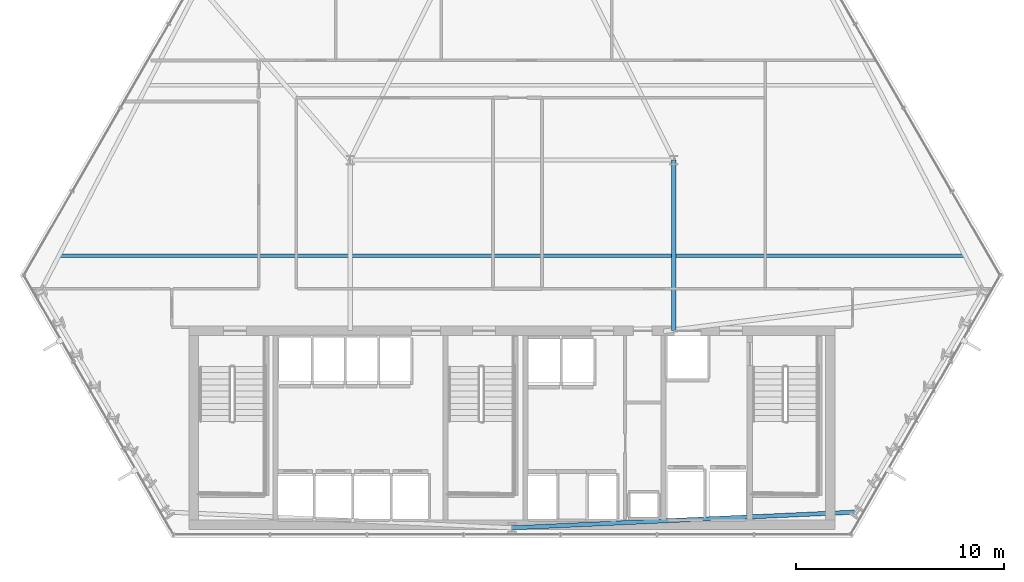
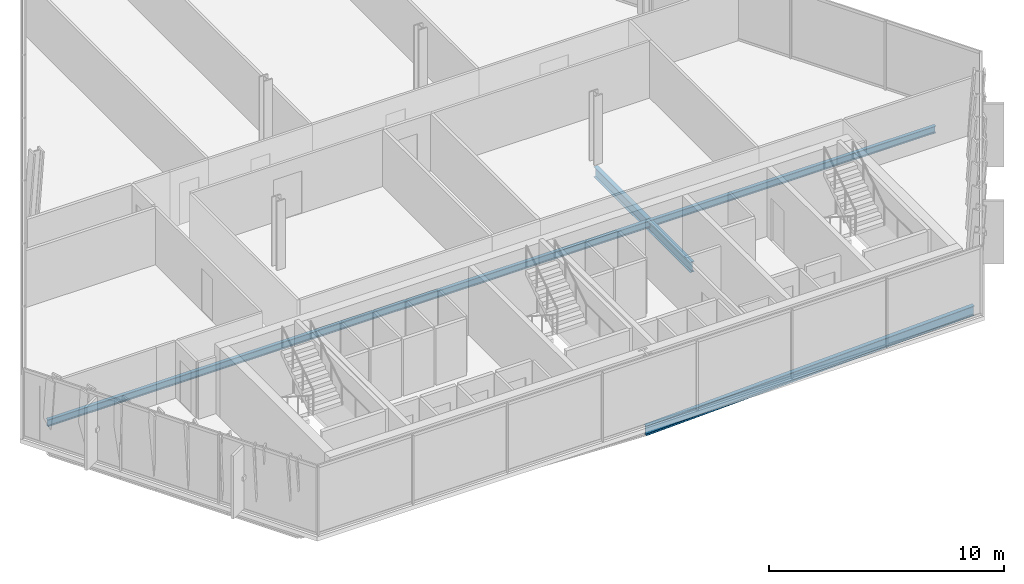
# One storey, part 10 of 33: 3 beams.
"""IFC4 building model written with IfcOpenShell, lengths in metres."""

from ifc_helpers import new_model, si_unit, direction, frame, origin, origin_2d, place, context, subcontext, project, spatial, i_section, extrude, material, material_profile, profile_set, type_object, element, save


model = new_model("IFC4")

# Units and contexts
model_context = context("Model", 3, precision=1e-05, world=origin(), true_north=direction((0.0, 1.0)))
body_context = subcontext(model_context, "Body", "Model", "MODEL_VIEW")
ifc_project = project(units=[si_unit("LENGTHUNIT", "METRE"), si_unit("AREAUNIT", "SQUARE_METRE"), si_unit("VOLUMEUNIT", "CUBIC_METRE"), si_unit("PLANEANGLEUNIT", "RADIAN"), si_unit("MASSUNIT", "GRAM", prefix="KILO")], contexts=[model_context])

# Site, building, storey
site_placement = place(None, origin())
site = spatial("IfcSite", under=ifc_project, at=site_placement, CompositionType="ELEMENT")
building_placement = place(site_placement, origin())
building = spatial("IfcBuilding", under=site, at=building_placement, Name="Ndaravel Arena Tower", CompositionType="ELEMENT")
storey_placement = place(building_placement, frame((0.0, 0.0, 89.199951171875)))
storey = spatial("IfcBuildingStorey", under=building, at=storey_placement, Name="L20", CompositionType="ELEMENT", Elevation=89.199951171875)

# Beams
ifc_material_1 = material(Name="Steel S355", Category="steel")
ifc_material_profile_1 = material_profile(ifc_material_1, i_section(OverallWidth=0.210693359375, OverallDepth=0.53955078125, WebThickness=0.01171875, FlangeThickness=0.018798828125, FilletRadius=0.0126953125, at=origin_2d()), Name="UB 533x210x109")
ifc_profile_set_1 = profile_set([ifc_material_profile_1], Name="Steel S355")
beam_type_1 = type_object("IfcBeamType", Name="BM-GIRD-UB533", PredefinedType="BEAM", material=ifc_profile_set_1)
beam_1_placement = place(storey_placement, frame((49.800048828125, 14.97998046875, -0.48974609375), z_axis=(0.0, 1.0, 0.0), x_axis=(-1.0, 0.0, 0.0)))
element("IfcBeam", 1, at=beam_1_placement, inside=storey, type_object=beam_type_1, Name="L20 Spine Link Girder SLG-02", PredefinedType="BEAM", context=body_context, shape_type="SweptSolid", body=[
    extrude(i_section(OverallWidth=0.210693359375, OverallDepth=0.53955078125, WebThickness=0.01171875, FlangeThickness=0.018798828125, FilletRadius=0.0126953125, at=origin_2d()), origin(), (0.0, 0.0, 1.0), 8.219970703125),
])
ifc_material_2 = material(Name="Steel S355", Category="steel")
ifc_material_profile_2 = material_profile(ifc_material_2, i_section(OverallWidth=0.169921875, OverallDepth=0.360107421875, WebThickness=0.008056640625, FlangeThickness=0.0126953125, FilletRadius=0.01806640625, at=origin_2d()), Name="IPE 360")
ifc_profile_set_2 = profile_set([ifc_material_profile_2], Name="Steel S355")
beam_type_2 = type_object("IfcBeamType", Name="BM-JOIST-IPE360", PredefinedType="JOIST", material=ifc_profile_set_2)
beam_2_placement = place(storey_placement, frame((20.176513671875, 18.60009765625, -0.39990234375), z_axis=(1.0, 0.0, 0.0), x_axis=(0.0, 1.0, 0.0)))
element("IfcBeam", 2, at=beam_2_placement, inside=storey, type_object=beam_type_2, Name="L20 Composite Floor Joist FJ-01", PredefinedType="JOIST", context=body_context, shape_type="SweptSolid", body=[
    extrude(i_section(OverallWidth=0.169921875, OverallDepth=0.360107421875, WebThickness=0.008056640625, FlangeThickness=0.0126953125, FilletRadius=0.01806640625, at=origin_2d()), origin(), (0.0, 0.0, 1.0), 43.64697265625),
])
ifc_material_3 = material(Name="Steel S355", Category="steel")
ifc_material_profile_3 = material_profile(ifc_material_3, i_section(OverallWidth=0.199951171875, OverallDepth=0.5, WebThickness=0.01025390625, FlangeThickness=0.01611328125, FilletRadius=0.02099609375, at=origin_2d()), Name="IPE 500")
ifc_profile_set_3 = profile_set([ifc_material_profile_3], Name="Steel S355")
beam_type_3 = type_object("IfcBeamType", Name="BM-SPAN-IPE500", PredefinedType="SPANDREL", material=ifc_profile_set_3)
beam_3_placement = place(storey_placement, frame((42.0, 5.47998046875, -0.469970703125), z_axis=(0.998947577789, 0.045866510986, 0.0), x_axis=(-0.045866510986, 0.998947577789, 0.0)))
element("IfcBeam", 3, at=beam_3_placement, inside=storey, type_object=beam_type_3, Name="L20 Perimeter Spandrel Beam SP-01", PredefinedType="SPANDREL", context=body_context, shape_type="SweptSolid", body=[
    extrude(i_section(OverallWidth=0.199951171875, OverallDepth=0.5, WebThickness=0.01025390625, FlangeThickness=0.01611328125, FilletRadius=0.02099609375, at=origin_2d()), origin(), (0.0, 0.0, 1.0), 16.58056640625),
])

save(model, "model.ifc")
